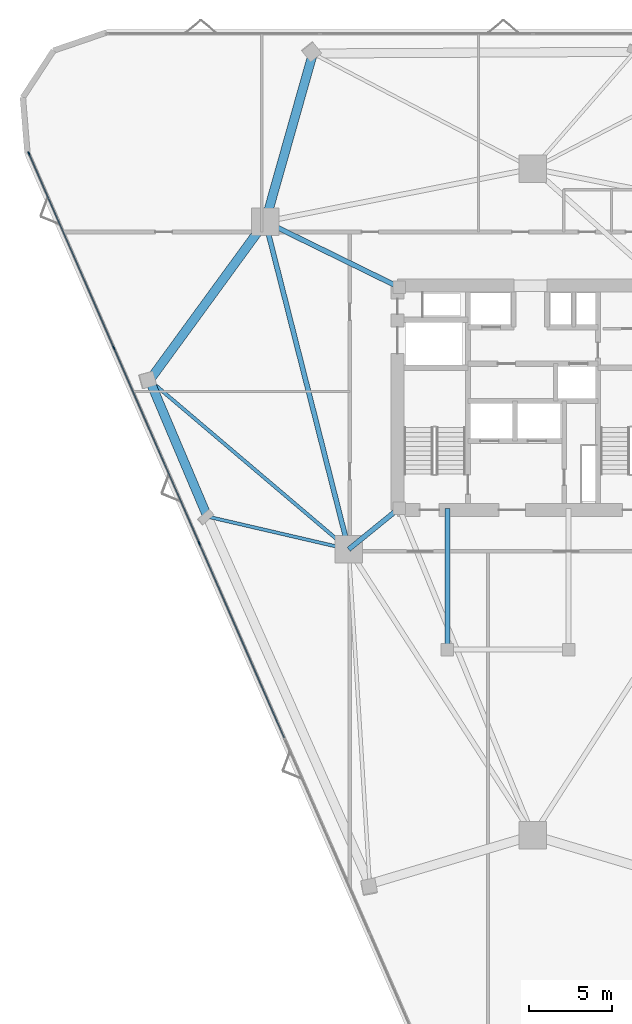
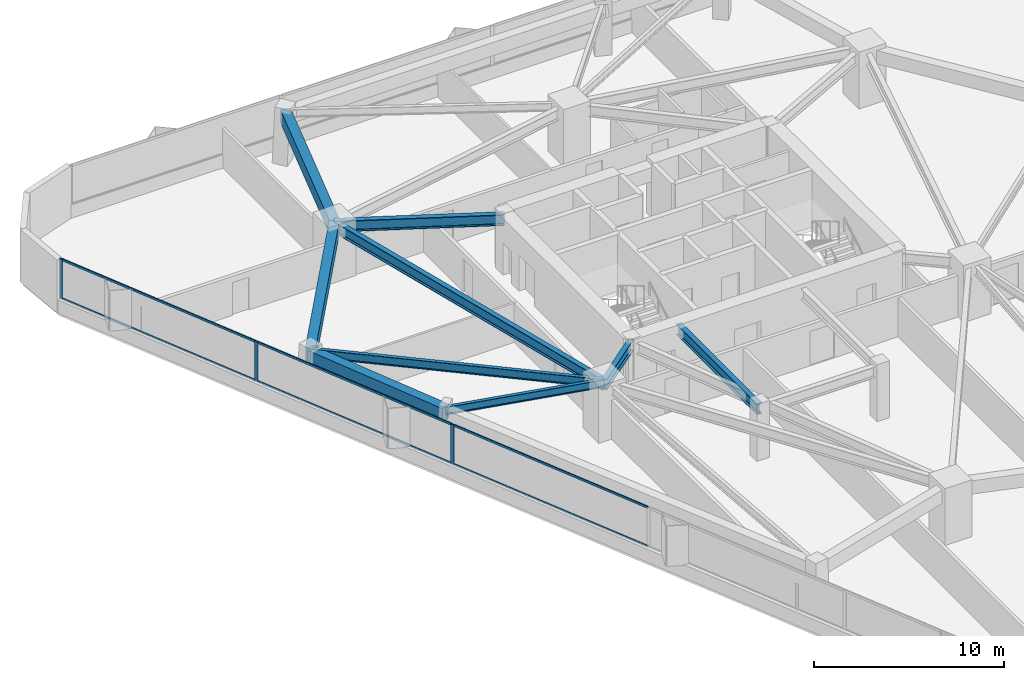
# One storey, part 4 of 13: 9 beams, 9 members, 1 element without a shape of its own.
"""IFC4 building model written with IfcOpenShell, lengths in metres."""

from ifc_helpers import new_model, si_unit, direction, frame, origin, origin_2d, place, context, subcontext, project, spatial, rectangle, i_section, extrude, material, layer, layer_set, material_profile, profile_set, type_object, element, aggregate, save


model = new_model("IFC4")

# Units and contexts
model_context = context("Model", 3, precision=1e-05, world=origin(), true_north=direction((0.0, 1.0)))
body_context = subcontext(model_context, "Body", "Model", "MODEL_VIEW")
ifc_project = project(units=[si_unit("LENGTHUNIT", "METRE"), si_unit("AREAUNIT", "SQUARE_METRE"), si_unit("VOLUMEUNIT", "CUBIC_METRE"), si_unit("PLANEANGLEUNIT", "RADIAN"), si_unit("MASSUNIT", "GRAM", prefix="KILO")], contexts=[model_context])

# Site, building, storey
site_placement = place(None, origin())
site = spatial("IfcSite", under=ifc_project, at=site_placement, CompositionType="ELEMENT")
building_placement = place(site_placement, origin())
building = spatial("IfcBuilding", under=site, at=building_placement, Name="Talyreon Biosciences Tower", CompositionType="ELEMENT")
storey_placement = place(building_placement, frame((0.0, 0.0, 104.199951171875)))
storey = spatial("IfcBuildingStorey", under=building, at=storey_placement, Name="L27", CompositionType="ELEMENT", Elevation=104.199951171875)

# Curtain wall, members
ifc_material_1 = material(Name="Thermally broken aluminium and low-E glazing", Category="aluminium")
ifc_layer = layer(ifc_material_1, 0.205078125)
ifc_layer_set = layer_set([ifc_layer], Name="Thermally broken aluminium and low-E glazing")
curtain_wall_type = type_object("IfcCurtainWallType", Name="CurtainWall_SkyGardenLoggia", PredefinedType="NOTDEFINED", material=ifc_layer_set)
curtain_wall_placement = place(storey_placement, origin())
curtain_wall = element("IfcCurtainWall", 1, at=curtain_wall_placement, inside=storey, type_object=curtain_wall_type, Name="L27 Unitised Curtain Wall FCW-L27-15", PredefinedType="NOTDEFINED")
ifc_material_2 = material(Name="Anodised thermally broken aluminium", Category="aluminium")
ifc_material_profile_1 = material_profile(ifc_material_2, rectangle(XDim=0.074951171875, YDim=0.2099609375, at=origin_2d()), Name="ALUM MULLION 75x210")
ifc_profile_set_1 = profile_set([ifc_material_profile_1], Name="Anodised thermally broken aluminium")
member_type_1 = type_object("IfcMemberType", Name="CWMullion_75x210", PredefinedType="MULLION", material=ifc_profile_set_1)
member_1_placement = place(storey_placement, frame((45.916015625, 59.25146484375, 0.81005859375), z_axis=(0.0, 0.0, 1.0), x_axis=(-0.9163461482, -0.400386983653, 0.0)))
member_1 = element("IfcMember", 2, at=member_1_placement, type_object=member_type_1, Name="CW7 mullion 4", PredefinedType="MULLION", context=body_context, shape_type="SweptSolid", body=[
    extrude(rectangle(XDim=0.074951171875, YDim=0.2099609375, at=origin_2d()), origin(), (0.0, 0.0, 1.0), 2.56494140625),
])
member_2_placement = place(storey_placement, frame((40.78515625, 70.994140625, 0.81005859375), z_axis=(0.0, 0.0, 1.0), x_axis=(-0.9163461482, -0.400386983653, 0.0)))
member_2 = element("IfcMember", 3, at=member_2_placement, type_object=member_type_1, Name="CW7 mullion 5", PredefinedType="MULLION", context=body_context, shape_type="SweptSolid", body=[
    extrude(rectangle(XDim=0.074951171875, YDim=0.2099609375, at=origin_2d()), origin(), (0.0, 0.0, 1.0), 2.56494140625),
])
member_3_placement = place(storey_placement, frame((35.66943359375, 82.7021484375, 0.81005859375), z_axis=(0.0, 0.0, 1.0), x_axis=(-0.9163461482, -0.400386983653, 0.0)))
member_3 = element("IfcMember", 4, at=member_3_placement, type_object=member_type_1, Name="CW7 mullion 6", PredefinedType="MULLION", context=body_context, shape_type="SweptSolid", body=[
    extrude(rectangle(XDim=0.074951171875, YDim=0.2099609375, at=origin_2d()), origin(), (0.0, 0.0, 1.0), 2.56494140625),
])
ifc_material_profile_2 = material_profile(ifc_material_2, rectangle(XDim=0.06494140625, YDim=0.139892578125, at=origin_2d()), Name="ALUM TRANSOM 65x140")
ifc_profile_set_2 = profile_set([ifc_material_profile_2], Name="Anodised thermally broken aluminium")
member_type_2 = type_object("IfcMemberType", Name="CWTransom_65x140", PredefinedType="USERDEFINED", material=ifc_profile_set_2)
member_4_placement = place(storey_placement, frame((51.03173828125, 47.54345703125, 0.842529296875), z_axis=(-0.4003764421, 0.916350754139, 0.0), x_axis=(-0.916350754139, -0.4003764421, 0.0)))
member_4 = element("IfcMember", 5, at=member_4_placement, type_object=member_type_2, Name="CW7 transom 3.1", ObjectType="TRANSOM", PredefinedType="USERDEFINED", context=body_context, shape_type="SweptSolid", body=[
    extrude(rectangle(XDim=0.06494140625, YDim=0.139892578125, at=origin_2d()), origin(), (0.0, 0.0, 1.0), 12.739501953125),
])
member_5_placement = place(storey_placement, frame((51.03173828125, 47.54345703125, 3.342529296875), z_axis=(-0.4003764421, 0.916350754139, 0.0), x_axis=(-0.916350754139, -0.4003764421, 0.0)))
member_5 = element("IfcMember", 6, at=member_5_placement, type_object=member_type_2, Name="CW7 transom 3.2", ObjectType="TRANSOM", PredefinedType="USERDEFINED", context=body_context, shape_type="SweptSolid", body=[
    extrude(rectangle(XDim=0.06494140625, YDim=0.139892578125, at=origin_2d()), origin(), (0.0, 0.0, 1.0), 12.739501953125),
])
member_6_placement = place(storey_placement, frame((45.901123046875, 59.285888671875, 0.842529296875), z_axis=(-0.400392533988, 0.916343723025, 0.0), x_axis=(-0.916343723025, -0.400392533988, 0.0)))
member_6 = element("IfcMember", 7, at=member_6_placement, type_object=member_type_2, Name="CW7 transom 4.1", ObjectType="TRANSOM", PredefinedType="USERDEFINED", context=body_context, shape_type="SweptSolid", body=[
    extrude(rectangle(XDim=0.06494140625, YDim=0.139892578125, at=origin_2d()), origin(), (0.0, 0.0, 1.0), 12.739501953125),
])
member_7_placement = place(storey_placement, frame((45.901123046875, 59.285888671875, 3.342529296875), z_axis=(-0.400392533988, 0.916343723025, 0.0), x_axis=(-0.916343723025, -0.400392533988, 0.0)))
member_7 = element("IfcMember", 8, at=member_7_placement, type_object=member_type_2, Name="CW7 transom 4.2", ObjectType="TRANSOM", PredefinedType="USERDEFINED", context=body_context, shape_type="SweptSolid", body=[
    extrude(rectangle(XDim=0.06494140625, YDim=0.139892578125, at=origin_2d()), origin(), (0.0, 0.0, 1.0), 12.739501953125),
])
member_8_placement = place(storey_placement, frame((40.770263671875, 71.028564453125, 0.842529296875), z_axis=(-0.400386229252, 0.916346477827, 0.0), x_axis=(-0.916346477827, -0.400386229252, 0.0)))
member_8 = element("IfcMember", 9, at=member_8_placement, type_object=member_type_2, Name="CW7 transom 5.1", ObjectType="TRANSOM", PredefinedType="USERDEFINED", context=body_context, shape_type="SweptSolid", body=[
    extrude(rectangle(XDim=0.06494140625, YDim=0.139892578125, at=origin_2d()), origin(), (0.0, 0.0, 1.0), 12.701904296875),
])
member_9_placement = place(storey_placement, frame((40.770263671875, 71.028564453125, 3.342529296875), z_axis=(-0.400386229252, 0.916346477827, 0.0), x_axis=(-0.916346477827, -0.400386229252, 0.0)))
member_9 = element("IfcMember", 10, at=member_9_placement, type_object=member_type_2, Name="CW7 transom 5.2", ObjectType="TRANSOM", PredefinedType="USERDEFINED", context=body_context, shape_type="SweptSolid", body=[
    extrude(rectangle(XDim=0.06494140625, YDim=0.139892578125, at=origin_2d()), origin(), (0.0, 0.0, 1.0), 12.701904296875),
])
aggregate(curtain_wall, [member_1, member_2, member_3, member_4, member_5, member_6, member_7, member_8, member_9])

# Beams
ifc_material_3 = material(Name="Precast concrete C45/55", Category="concrete")
ifc_material_profile_3 = material_profile(ifc_material_3, rectangle(XDim=0.550048828125, YDim=0.85009765625, at=origin_2d()), Name="RCB 550x850")
ifc_profile_set_3 = profile_set([ifc_material_profile_3], Name="Precast concrete C45/55")
beam_type_1 = type_object("IfcBeamType", Name="ExpressedSpandrel_550x850", PredefinedType="SPANDREL", material=ifc_profile_set_3)
beam_1_placement = place(storey_placement, frame((52.758056640625, 88.71435546875, 2.949951171875), z_axis=(-0.272094457055, -0.962270547424, 0.0), x_axis=(0.962270547424, -0.272094457055, 0.0)))
element("IfcBeam", 11, at=beam_1_placement, inside=storey, type_object=beam_type_1, Name="L27 Expressed Horizontal Concrete Spandrel 08", PredefinedType="SPANDREL", context=body_context, shape_type="SweptSolid", body=[
    extrude(rectangle(XDim=0.550048828125, YDim=0.85009765625, at=origin_2d()), origin(), (0.0, 0.0, 1.0), 10.512451171875),
])
beam_2_placement = place(storey_placement, frame((49.897705078125, 78.5986328125, 2.949951171875), z_axis=(-0.589317457799, -0.807901562032, 0.0), x_axis=(0.807901562032, -0.589317457799, 0.0)))
element("IfcBeam", 12, at=beam_2_placement, inside=storey, type_object=beam_type_1, Name="L27 Expressed Horizontal Concrete Spandrel 09", PredefinedType="SPANDREL", context=body_context, shape_type="SweptSolid", body=[
    extrude(rectangle(XDim=0.550048828125, YDim=0.85009765625, at=origin_2d()), origin(), (0.0, 0.0, 1.0), 11.814697265625),
])
beam_3_placement = place(storey_placement, frame((42.93505859375, 69.053466796875, 2.949951171875), z_axis=(0.390008404834, -0.920811296716, 0.0), x_axis=(0.920811296716, 0.390008404834, 0.0)))
element("IfcBeam", 13, at=beam_3_placement, inside=storey, type_object=beam_type_1, Name="L27 Expressed Horizontal Concrete Spandrel 10", PredefinedType="SPANDREL", context=body_context, shape_type="SweptSolid", body=[
    extrude(rectangle(XDim=0.550048828125, YDim=0.85009765625, at=origin_2d()), origin(), (0.0, 0.0, 1.0), 8.906005859375),
])
ifc_material_4 = material(Name="Steel SM355", Category="steel")
ifc_material_profile_4 = material_profile(ifc_material_4, i_section(OverallWidth=0.300048828125, OverallDepth=0.699951171875, WebThickness=0.01708984375, FlangeThickness=0.031982421875, FilletRadius=0.027099609375, at=origin_2d()), Name="HE700B")
ifc_profile_set_4 = profile_set([ifc_material_profile_4], Name="Steel SM355")
beam_type_2 = type_object("IfcBeamType", Name="SteelGirder_HE700B", PredefinedType="BEAM", material=ifc_profile_set_4)
beam_4_placement = place(storey_placement, frame((49.897705078125, 78.5986328125, 3.025146484375), z_axis=(0.246537082299, -0.969133358755, 0.0), x_axis=(0.969133358755, 0.246537082299, 0.0)))
element("IfcBeam", 14, at=beam_4_placement, inside=storey, type_object=beam_type_2, Name="L27 Mega-Ring Girder 5", PredefinedType="BEAM", context=body_context, shape_type="SweptSolid", body=[
    extrude(i_section(OverallWidth=0.300048828125, OverallDepth=0.699951171875, WebThickness=0.01708984375, FlangeThickness=0.031982421875, FilletRadius=0.027099609375, at=origin_2d()), origin(), (0.0, 0.0, 1.0), 20.34619140625),
])
beam_5_placement = place(storey_placement, frame((57.949951171875, 74.64990234375, 3.025146484375), z_axis=(-0.897852360314, 0.440296648952, 0.0), x_axis=(-0.440296648952, -0.897852360314, 0.0)))
element("IfcBeam", 15, at=beam_5_placement, inside=storey, type_object=beam_type_2, Name="L27 Radial Primary Girder 5", PredefinedType="BEAM", context=body_context, shape_type="SweptSolid", body=[
    extrude(i_section(OverallWidth=0.300048828125, OverallDepth=0.699951171875, WebThickness=0.01708984375, FlangeThickness=0.031982421875, FilletRadius=0.027099609375, at=origin_2d()), origin(), (0.0, 0.0, 1.0), 8.96826171875),
])
beam_6_placement = place(storey_placement, frame((57.949951171875, 61.35009765625, 3.025146484375), z_axis=(-0.775755154013, -0.631034025249, 0.0), x_axis=(0.631034025249, -0.775755154013, 0.0)))
element("IfcBeam", 16, at=beam_6_placement, inside=storey, type_object=beam_type_2, Name="L27 Radial Primary Girder 6", PredefinedType="BEAM", context=body_context, shape_type="SweptSolid", body=[
    extrude(i_section(OverallWidth=0.300048828125, OverallDepth=0.699951171875, WebThickness=0.01708984375, FlangeThickness=0.031982421875, FilletRadius=0.027099609375, at=origin_2d()), origin(), (0.0, 0.0, 1.0), 3.913818359375),
])
beam_7_placement = place(storey_placement, frame((60.85009765625, 52.840087890625, 3.025146484375), z_axis=(0.0, 1.0, 0.0), x_axis=(-1.0, 0.0, 0.0)))
element("IfcBeam", 17, at=beam_7_placement, inside=storey, type_object=beam_type_2, Name="L27 Crown Shaft Tie Girder W", PredefinedType="BEAM", context=body_context, shape_type="SweptSolid", body=[
    extrude(i_section(OverallWidth=0.300048828125, OverallDepth=0.699951171875, WebThickness=0.01708984375, FlangeThickness=0.031982421875, FilletRadius=0.027099609375, at=origin_2d()), origin(), (0.0, 0.0, 1.0), 8.510009765625),
])
ifc_material_profile_5 = material_profile(ifc_material_4, i_section(OverallWidth=0.199951171875, OverallDepth=0.5, WebThickness=0.01025390625, FlangeThickness=0.01611328125, FilletRadius=0.02099609375, at=origin_2d()), Name="IPE500")
ifc_profile_set_5 = profile_set([ifc_material_profile_5], Name="Steel SM355")
beam_type_3 = type_object("IfcBeamType", Name="SteelJoist_IPE500", PredefinedType="JOIST", material=ifc_profile_set_5)
beam_8_placement = place(storey_placement, frame((54.913818359375, 58.88037109375, 3.125), z_axis=(-0.974148868995, 0.225907018561, 0.0), x_axis=(-0.225907018561, -0.974148868995, 0.0)))
element("IfcBeam", 18, at=beam_8_placement, inside=storey, type_object=beam_type_3, Name="L27 Radial Composite Floor Joist PL-SW", PredefinedType="JOIST", context=body_context, shape_type="SweptSolid", body=[
    extrude(i_section(OverallWidth=0.199951171875, OverallDepth=0.5, WebThickness=0.01025390625, FlangeThickness=0.01611328125, FilletRadius=0.02099609375, at=origin_2d()), origin(), (0.0, 0.0, 1.0), 8.731201171875),
])
ifc_material_profile_6 = material_profile(ifc_material_4, i_section(OverallWidth=0.2099609375, OverallDepth=0.550048828125, WebThickness=0.010986328125, FlangeThickness=0.01708984375, FilletRadius=0.02392578125, at=origin_2d()), Name="IPE550")
ifc_profile_set_6 = profile_set([ifc_material_profile_6], Name="Steel SM355")
beam_type_4 = type_object("IfcBeamType", Name="SteelJoist_IPE550", PredefinedType="JOIST", material=ifc_profile_set_6)
beam_9_placement = place(storey_placement, frame((54.913818359375, 58.88037109375, 3.10009765625), z_axis=(-0.762217138704, 0.64732142979, 0.0), x_axis=(-0.64732142979, -0.762217138704, 0.0)))
element("IfcBeam", 19, at=beam_9_placement, inside=storey, type_object=beam_type_4, Name="L27 Radial Composite Floor Joist PC-SW1", PredefinedType="JOIST", context=body_context, shape_type="SweptSolid", body=[
    extrude(i_section(OverallWidth=0.2099609375, OverallDepth=0.550048828125, WebThickness=0.010986328125, FlangeThickness=0.01708984375, FilletRadius=0.02392578125, at=origin_2d()), origin(), (0.0, 0.0, 1.0), 15.715576171875),
])

save(model, "model.ifc")
